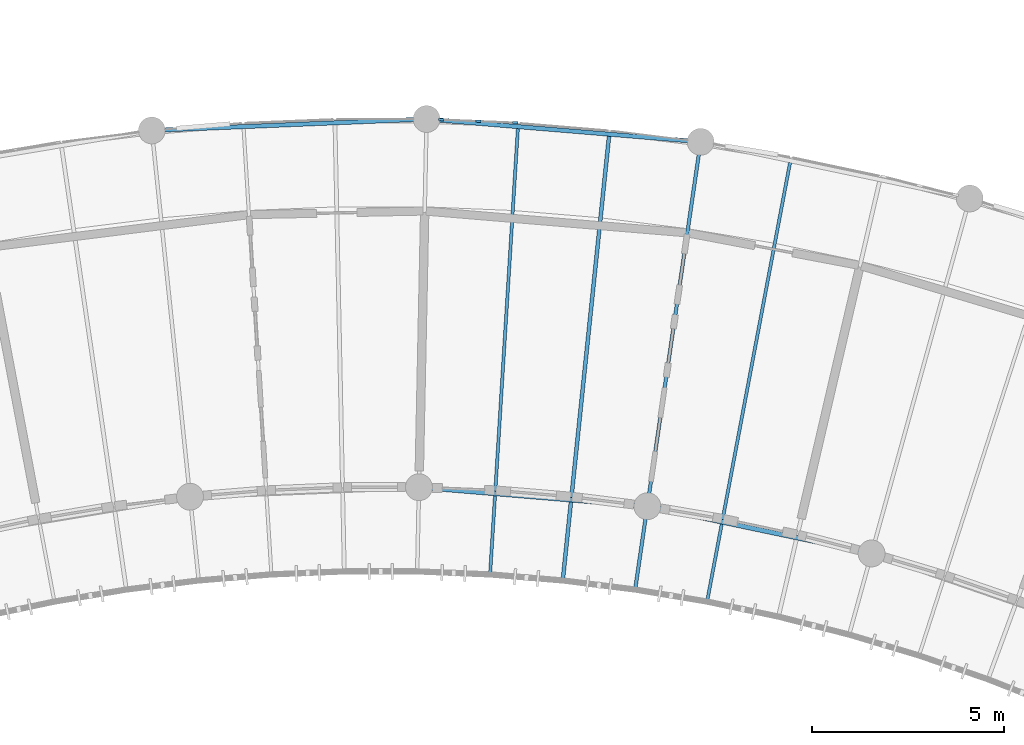
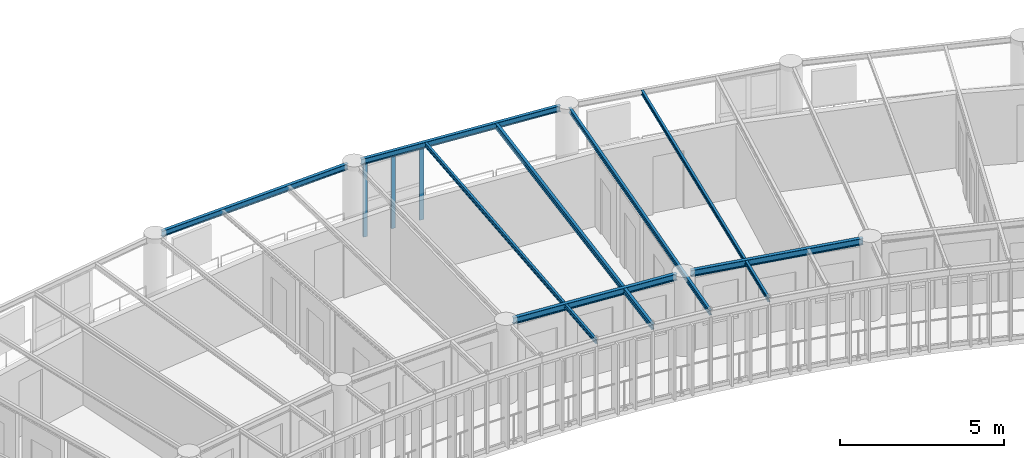
# One storey, part 51 of 123: 8 beams, 3 members, 1 element without a shape of its own.
"""IFC4 building model written with IfcOpenShell, lengths in metres."""

from ifc_helpers import new_model, si_unit, direction, frame, origin, origin_2d, place, context, subcontext, project, spatial, rectangle, i_section, extrude, material, layer, layer_set, material_profile, profile_set, type_object, element, aggregate, save


model = new_model("IFC4")

# Units and contexts
model_context = context("Model", 3, precision=1e-05, world=origin(), true_north=direction((0.0, 1.0)))
body_context = subcontext(model_context, "Body", "Model", "MODEL_VIEW")
ifc_project = project(units=[si_unit("LENGTHUNIT", "METRE"), si_unit("AREAUNIT", "SQUARE_METRE"), si_unit("VOLUMEUNIT", "CUBIC_METRE"), si_unit("PLANEANGLEUNIT", "RADIAN"), si_unit("MASSUNIT", "GRAM", prefix="KILO"), si_unit("POWERUNIT", "WATT"), si_unit("THERMODYNAMICTEMPERATUREUNIT", "KELVIN")], contexts=[model_context])

# Site, building, storey
site_placement = place(None, origin())
site = spatial("IfcSite", under=ifc_project, at=site_placement, CompositionType="ELEMENT")
building_placement = place(site_placement, origin())
building = spatial("IfcBuilding", under=site, at=building_placement, Name="Ruvembo Vaulted Housing Court", CompositionType="ELEMENT")
storey_placement = place(building_placement, frame((0.0, 0.0, 7.699951171875)))
storey = spatial("IfcBuildingStorey", under=building, at=storey_placement, Name="L02", CompositionType="ELEMENT", Elevation=7.699951171875)

# Beams
ifc_material_1 = material(Name="Steel S355J2", Category="steel")
ifc_material_profile_1 = material_profile(ifc_material_1, i_section(OverallWidth=0.08203125, OverallDepth=0.159912109375, WebThickness=0.0048828125, FlangeThickness=0.00732421875, FilletRadius=0.009033203125, at=origin_2d()), Name="IPE 160")
ifc_profile_set_1 = profile_set([ifc_material_profile_1], Name="Steel S355J2")
beam_type_1 = type_object("IfcBeamType", Name="BM-ST-IPE160", PredefinedType="JOIST", material=ifc_profile_set_1)
for number, where, z_axis, x_axis, name in (
    (1, (120.574951171875, 107.33935546875, 2.860107421875), (-0.062232670177, -0.998061668817, 0.0), (0.998061668817, -0.062232670177, 0.0), "Scoop SC3 L02 Radial Steel Joist 16"),
    (2, (127.66943359375, 106.451416015625, 2.860107421875), (-0.185715658809, -0.982603528425, 0.0), (0.982603528425, -0.185715658809, 0.0), "Scoop SC3 L02 Radial Steel Joist 19"),
):
    element("IfcBeam", number, at=place(storey_placement, frame(where, z_axis=z_axis, x_axis=x_axis)), inside=storey, type_object=beam_type_1, Name=name, PredefinedType="JOIST", context=body_context, shape_type="SweptSolid", body=[
        extrude(i_section(OverallWidth=0.08203125, OverallDepth=0.159912109375, WebThickness=0.0048828125, FlangeThickness=0.00732421875, FilletRadius=0.009033203125, at=origin_2d()), origin(), (0.0, 0.0, 1.0), 11.690673828125),
    ])
ifc_material_profile_2 = material_profile(ifc_material_1, i_section(OverallWidth=0.091064453125, OverallDepth=0.179931640625, WebThickness=0.00537109375, FlangeThickness=0.008056640625, FilletRadius=0.009033203125, at=origin_2d()), Name="IPE 180")
ifc_profile_set_2 = profile_set([ifc_material_profile_2], Name="Steel S355J2")
beam_type_2 = type_object("IfcBeamType", Name="BM-ST-IPE180", PredefinedType="JOIST", material=ifc_profile_set_2)
beam_1_placement = place(storey_placement, frame((125.305908203125, 106.765625, 2.85009765625), z_axis=(-0.144779596982, -0.989463929761, 0.0), x_axis=(0.989463929761, -0.144779596982, 0.0)))
element("IfcBeam", 3, at=beam_1_placement, inside=storey, type_object=beam_type_2, Name="Scoop SC3 L02 Radial Steel Joist 18", PredefinedType="JOIST", context=body_context, shape_type="SweptSolid", body=[
    extrude(i_section(OverallWidth=0.091064453125, OverallDepth=0.179931640625, WebThickness=0.00537109375, FlangeThickness=0.008056640625, FilletRadius=0.009033203125, at=origin_2d()), origin(), (0.0, 0.0, 1.0), 11.610107421875),
])
ifc_material_profile_3 = material_profile(ifc_material_1, i_section(OverallWidth=0.10009765625, OverallDepth=0.199951171875, WebThickness=0.005615234375, FlangeThickness=0.008544921875, FilletRadius=0.011962890625, at=origin_2d()), Name="IPE 200")
ifc_profile_set_3 = profile_set([ifc_material_profile_3], Name="Steel S355J2")
beam_type_3 = type_object("IfcBeamType", Name="BM-ST-IPE200", PredefinedType="BEAM", material=ifc_profile_set_3)
beam_2_placement = place(storey_placement, frame((122.951416015625, 107.1416015625, 2.840087890625), z_axis=(-0.103603071439, -0.994618722722, 0.0), x_axis=(0.994618722722, -0.103603071439, 0.0)))
element("IfcBeam", 4, at=beam_2_placement, inside=storey, type_object=beam_type_3, Name="Scoop SC3 L02 Radial Steel Joist 17", PredefinedType="BEAM", context=body_context, shape_type="SweptSolid", body=[
    extrude(i_section(OverallWidth=0.10009765625, OverallDepth=0.199951171875, WebThickness=0.005615234375, FlangeThickness=0.008544921875, FilletRadius=0.011962890625, at=origin_2d()), origin(), (0.0, 0.0, 1.0), 11.690673828125),
])
ifc_material_profile_4 = material_profile(ifc_material_1, i_section(OverallWidth=0.110107421875, OverallDepth=0.219970703125, WebThickness=0.005859375, FlangeThickness=0.00927734375, FilletRadius=0.011962890625, at=origin_2d()), Name="IPE 220")
ifc_profile_set_4 = profile_set([ifc_material_profile_4], Name="Steel S355J2")
beam_type_4 = type_object("IfcBeamType", Name="BM-ST-IPE220", PredefinedType="SPANDREL", material=ifc_profile_set_4)
for number, where, z_axis, x_axis, name in (
    (5, (111.262939453125, 107.299560546875, 2.83203125), (0.999137482587, 0.04152458176, 0.0), (-0.04152458176, 0.999137482587, 0.0), "Scoop SC3 L02 Chord Girder B12"),
    (6, (118.424560546875, 107.568603515625, 2.83203125), (0.996554537231, -0.082940064651, 0.0), (0.082940064651, 0.996554537231, 0.0), "Scoop SC3 L02 Chord Girder B15"),
):
    element("IfcBeam", number, at=place(storey_placement, frame(where, z_axis=z_axis, x_axis=x_axis)), inside=storey, type_object=beam_type_4, Name=name, PredefinedType="SPANDREL", context=body_context, shape_type="SweptSolid", body=[
        extrude(i_section(OverallWidth=0.110107421875, OverallDepth=0.219970703125, WebThickness=0.005859375, FlangeThickness=0.00927734375, FilletRadius=0.011962890625, at=origin_2d()), origin(), (0.0, 0.0, 1.0), 6.70849609375),
    ])
ifc_material_profile_5 = material_profile(ifc_material_1, i_section(OverallWidth=0.1201171875, OverallDepth=0.239990234375, WebThickness=0.006103515625, FlangeThickness=0.009765625, FilletRadius=0.014892578125, at=origin_2d()), Name="IPE 240")
ifc_profile_set_5 = profile_set([ifc_material_profile_5], Name="Steel S355J2")
beam_type_5 = type_object("IfcBeamType", Name="BM-ST-IPE240", PredefinedType="BEAM", material=ifc_profile_set_5)
beam_3_placement = place(storey_placement, frame((118.225341796875, 97.970703125, 2.822021484375), z_axis=(0.996555218009, -0.082931884451, 0.0), x_axis=(0.082931884451, 0.996555218009, 0.0)))
element("IfcBeam", 7, at=beam_3_placement, inside=storey, type_object=beam_type_5, Name="Scoop SC3 L02 Chord Girder F15", PredefinedType="BEAM", context=body_context, shape_type="SweptSolid", body=[
    extrude(i_section(OverallWidth=0.1201171875, OverallDepth=0.239990234375, WebThickness=0.006103515625, FlangeThickness=0.009765625, FilletRadius=0.014892578125, at=origin_2d()), origin(), (0.0, 0.0, 1.0), 5.513916015625),
])
beam_4_placement = place(storey_placement, frame((124.17431640625, 97.447021484375, 2.822021484375), z_axis=(0.978535688383, -0.206077428559, 0.0), x_axis=(0.206077428559, 0.978535688383, 0.0)))
element("IfcBeam", 8, at=beam_4_placement, inside=storey, type_object=beam_type_5, Name="Scoop SC3 L02 Chord Girder F18", PredefinedType="BEAM", context=body_context, shape_type="SweptSolid", body=[
    extrude(i_section(OverallWidth=0.1201171875, OverallDepth=0.239990234375, WebThickness=0.006103515625, FlangeThickness=0.009765625, FilletRadius=0.014892578125, at=origin_2d()), origin(), (0.0, 0.0, 1.0), 5.513671875),
])

# Curtain wall, members
ifc_material_2 = material(Name="Anodised Aluminium and Solar-Control Glass", Category="aluminium")
ifc_layer = layer(ifc_material_2, 0.1201171875, Name="Anodised Aluminium and Solar-Control Glass")
ifc_layer_set = layer_set([ifc_layer], Name="Anodised Aluminium and Solar-Control Glass")
curtain_wall_type = type_object("IfcCurtainWallType", Name="CW-SCOOP-GAL", PredefinedType="NOTDEFINED", material=ifc_layer_set)
curtain_wall_placement = place(storey_placement, origin())
curtain_wall = element("IfcCurtainWall", 9, at=curtain_wall_placement, inside=storey, type_object=curtain_wall_type, Name="L02 Curtain Wall CW-L02-0068", PredefinedType="NOTDEFINED")
ifc_material_3 = material(Name="Anodised Aluminium 6063-T6", Category="aluminium")
ifc_material_profile_6 = material_profile(ifc_material_3, rectangle(XDim=0.06005859375, YDim=0.139892578125, at=origin_2d()), Name="ALU 60x140")
ifc_profile_set_6 = profile_set([ifc_material_profile_6], Name="Anodised Aluminium 6063-T6")
member_type = type_object("IfcMemberType", Name="CW-MUL-60x140", PredefinedType="MULLION", material=ifc_profile_set_6)
member_1_placement = place(storey_placement, frame((118.5751953125, 107.57177734375, 0.0), z_axis=(0.0, 0.0, 1.0), x_axis=(0.041490559959, 0.999138895967, 0.0)))
member_1 = element("IfcMember", 10, at=member_1_placement, type_object=member_type, Name="CW6 mullion 1", PredefinedType="MULLION", context=body_context, shape_type="SweptSolid", body=[
    extrude(rectangle(XDim=0.06005859375, YDim=0.139892578125, at=origin_2d()), origin(), (0.0, 0.0, 1.0), 2.697998046875),
])
member_2_placement = place(storey_placement, frame((119.53955078125, 107.53173828125, 0.0), z_axis=(0.0, 0.0, 1.0), x_axis=(0.041490559959, 0.999138895967, 0.0)))
member_2 = element("IfcMember", 11, at=member_2_placement, type_object=member_type, Name="CW6 mullion 2", PredefinedType="MULLION", context=body_context, shape_type="SweptSolid", body=[
    extrude(rectangle(XDim=0.06005859375, YDim=0.139892578125, at=origin_2d()), origin(), (0.0, 0.0, 1.0), 2.697998046875),
])
member_3_placement = place(storey_placement, frame((120.504150390625, 107.49169921875, 0.0), z_axis=(0.0, 0.0, 1.0), x_axis=(0.041490559959, 0.999138895967, 0.0)))
member_3 = element("IfcMember", 12, at=member_3_placement, type_object=member_type, Name="CW6 mullion 3", PredefinedType="MULLION", context=body_context, shape_type="SweptSolid", body=[
    extrude(rectangle(XDim=0.06005859375, YDim=0.139892578125, at=origin_2d()), origin(), (0.0, 0.0, 1.0), 2.697998046875),
])
aggregate(curtain_wall, [member_1, member_2, member_3])

save(model, "model.ifc")
